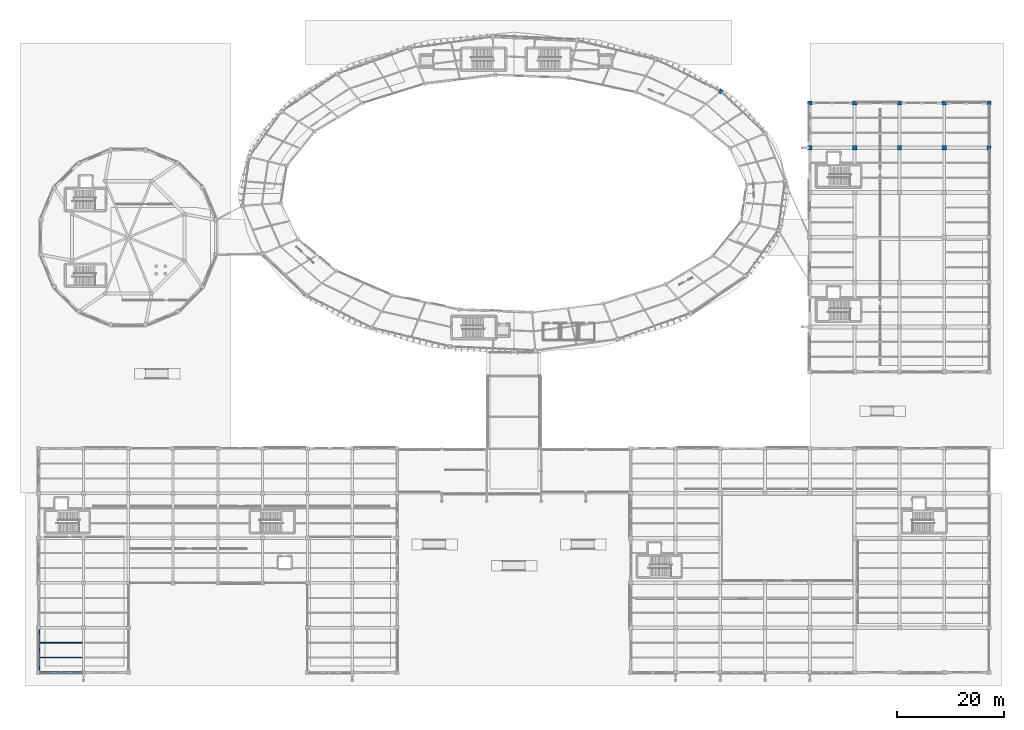
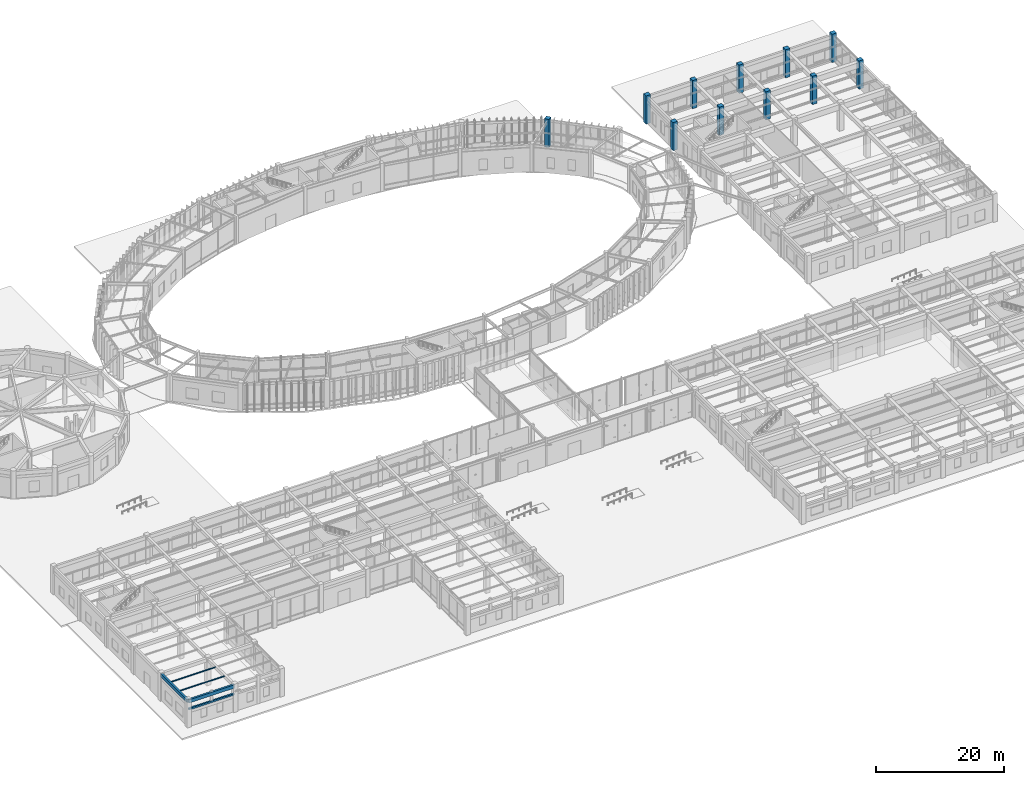
# One storey, part 7 of 157: 11 columns, 5 beams.
"""IFC4 building model written with IfcOpenShell, lengths in metres."""

from ifc_helpers import new_model, si_unit, direction, frame, origin, origin_2d, place, context, subcontext, project, spatial, rectangle, i_section, extrude, material, material_profile, profile_set, type_object, element, save


model = new_model("IFC4")

# Units and contexts
model_context = context("Model", 3, precision=1e-05, world=origin(), true_north=direction((0.0, 1.0)))
body_context = subcontext(model_context, "Body", "Model", "MODEL_VIEW")
ifc_project = project(units=[si_unit("LENGTHUNIT", "METRE"), si_unit("AREAUNIT", "SQUARE_METRE"), si_unit("VOLUMEUNIT", "CUBIC_METRE"), si_unit("PLANEANGLEUNIT", "RADIAN"), si_unit("MASSUNIT", "GRAM", prefix="KILO"), si_unit("THERMODYNAMICTEMPERATUREUNIT", "KELVIN"), si_unit("POWERUNIT", "WATT")], contexts=[model_context])

# Site, building, storey
site_placement = place(None, origin())
site = spatial("IfcSite", under=ifc_project, at=site_placement, CompositionType="ELEMENT")
building_placement = place(site_placement, origin())
building = spatial("IfcBuilding", under=site, at=building_placement, Name="Darbajah Civic Hall", CompositionType="ELEMENT")
storey_placement = place(building_placement, origin())
storey = spatial("IfcBuildingStorey", under=building, at=storey_placement, Name="L00", CompositionType="ELEMENT", Elevation=0.0)

# Columns
ifc_material_1 = material(Name="Concrete C50/60", Category="concrete")
ifc_material_profile_1 = material_profile(ifc_material_1, rectangle(XDim=0.75, YDim=0.75, at=origin_2d()), Name="RC COL 750x750")
ifc_profile_set_1 = profile_set([ifc_material_profile_1], Name="Concrete C50/60")
column_type_1 = type_object("IfcColumnType", Name="RC COL 750x750", PredefinedType="COLUMN", material=ifc_profile_set_1)
column_placement = place(storey_placement, frame((127.880615234375, 108.958740234375, 0.0), z_axis=(0.0, 0.0, 1.0), x_axis=(0.7604059656, 0.64944804833, 0.0)))
element("IfcColumn", 1, at=column_placement, inside=storey, type_object=column_type_1, Name="L00 column C-RC750", PredefinedType="COLUMN", context=body_context, shape_type="SweptSolid", body=[
    extrude(rectangle(XDim=0.75, YDim=0.75, at=origin_2d()), origin(), (0.0, 0.0, 1.0), 5.39990234375),
])
ifc_material_profile_2 = material_profile(ifc_material_1, rectangle(XDim=0.800048828125, YDim=0.800048828125, at=origin_2d()), Name="RC COL 800x800")
ifc_profile_set_2 = profile_set([ifc_material_profile_2], Name="Concrete C50/60")
column_type_2 = type_object("IfcColumnType", Name="RC COL 800x800", PredefinedType="COLUMN", material=ifc_profile_set_2)
for number, where, z_axis, x_axis, name in (
    (2, (144.60009765625, 98.39990234375, 0.0), (0.0, 0.0, 1.0), (1.0, 0.0, 0.0), "L00 column C-RC800"),
    (3, (144.60009765625, 106.800048828125, 0.0), (0.0, 0.0, 1.0), (1.0, 0.0, 0.0), "L00 column C-RC800"),
    (4, (153.0, 98.39990234375, 0.0), (0.0, 0.0, 1.0), (1.0, 0.0, 0.0), "L00 column C-RC800"),
    (5, (153.0, 106.800048828125, 0.0), (0.0, 0.0, 1.0), (1.0, 0.0, 0.0), "L00 column C-RC800"),
    (6, (161.39990234375, 98.39990234375, 0.0), (0.0, 0.0, 1.0), (1.0, 0.0, 0.0), "L00 column C-RC800"),
    (7, (161.39990234375, 106.800048828125, 0.0), (0.0, 0.0, 1.0), (1.0, 0.0, 0.0), "L00 column C-RC800"),
    (8, (169.800048828125, 98.39990234375, 0.0), (0.0, 0.0, 1.0), (1.0, 0.0, 0.0), "L00 column C-RC800"),
    (9, (169.800048828125, 106.800048828125, 0.0), (0.0, 0.0, 1.0), (1.0, 0.0, 0.0), "L00 column C-RC800"),
    (10, (178.199951171875, 98.39990234375, 0.0), (0.0, 0.0, 1.0), (1.0, 0.0, 0.0), "L00 column C-RC800"),
    (11, (178.199951171875, 106.800048828125, 0.0), (0.0, 0.0, 1.0), (1.0, 0.0, 0.0), "L00 column C-RC800"),
):
    element("IfcColumn", number, at=place(storey_placement, frame(where, z_axis=z_axis, x_axis=x_axis)), inside=storey, type_object=column_type_2, Name=name, PredefinedType="COLUMN", context=body_context, shape_type="SweptSolid", body=[
        extrude(rectangle(XDim=0.800048828125, YDim=0.800048828125, at=origin_2d()), origin(), (0.0, 0.0, 1.0), 5.39990234375),
    ])

# Beams
ifc_material_2 = material(Name="Concrete C45/55", Category="concrete")
ifc_material_profile_3 = material_profile(ifc_material_2, rectangle(XDim=0.300048828125, YDim=0.300048828125, at=origin_2d()), Name="RC LINTEL 300x300")
ifc_profile_set_3 = profile_set([ifc_material_profile_3], Name="Concrete C45/55")
beam_type_1 = type_object("IfcBeamType", Name="RC LINTEL 300x300", PredefinedType="LINTEL", material=ifc_profile_set_3)
beam_placement = place(storey_placement, frame((0.090087890625, 0.0, 3.300048828125), z_axis=(1.0, 0.0, 0.0), x_axis=(0.0, 1.0, 0.0)))
element("IfcBeam", 12, at=beam_placement, inside=storey, type_object=beam_type_1, Name="L00 stone portal lintel LN-3030", PredefinedType="LINTEL", context=body_context, shape_type="SweptSolid", body=[
    extrude(rectangle(XDim=0.300048828125, YDim=0.300048828125, at=origin_2d()), origin(), (0.0, 0.0, 1.0), 8.219970703125),
])
ifc_material_profile_4 = material_profile(ifc_material_2, rectangle(XDim=0.35009765625, YDim=0.64990234375, at=origin_2d()), Name="RC SPANDREL 350x650")
ifc_profile_set_4 = profile_set([ifc_material_profile_4], Name="Concrete C45/55")
beam_type_2 = type_object("IfcBeamType", Name="RC SPANDREL 350x650", PredefinedType="SPANDREL", material=ifc_profile_set_4)
for number, where, z_axis, x_axis, name in (
    (13, (0.080078125, 0.0, 4.81494140625), (1.0, 0.0, 0.0), (0.0, 1.0, 0.0), "L00 beam SP-3565"),
    (14, (0.0, 0.080078125, 4.81494140625), (0.0, 1.0, 0.0), (-1.0, 0.0, 0.0), "L00 beam SP-3565"),
):
    element("IfcBeam", number, at=place(storey_placement, frame(where, z_axis=z_axis, x_axis=x_axis)), inside=storey, type_object=beam_type_2, Name=name, PredefinedType="SPANDREL", context=body_context, shape_type="SweptSolid", body=[
        extrude(rectangle(XDim=0.35009765625, YDim=0.64990234375, at=origin_2d()), origin(), (0.0, 0.0, 1.0), 8.239990234375),
    ])
ifc_material_3 = material(Name="Steel S355JR", Category="steel")
ifc_material_profile_5 = material_profile(ifc_material_3, i_section(OverallWidth=0.1337890625, OverallDepth=0.206787109375, WebThickness=0.00634765625, FlangeThickness=0.009521484375, FilletRadius=0.007568359375, at=origin_2d()), Name="UB 203x133x30")
ifc_profile_set_5 = profile_set([ifc_material_profile_5], Name="Steel S355JR")
beam_type_3 = type_object("IfcBeamType", Name="UB 203x133x30", PredefinedType="JOIST", material=ifc_profile_set_5)
for number, where, z_axis, x_axis, name in (
    (15, (0.175048828125, 2.800048828125, 5.03662109375), (1.0, 0.0, 0.0), (0.0, 1.0, 0.0), "L00 beam SJ-203"),
    (16, (0.175048828125, 5.60009765625, 5.03662109375), (1.0, 0.0, 0.0), (0.0, 1.0, 0.0), "L00 beam SJ-203"),
):
    element("IfcBeam", number, at=place(storey_placement, frame(where, z_axis=z_axis, x_axis=x_axis)), inside=storey, type_object=beam_type_3, Name=name, PredefinedType="JOIST", context=body_context, shape_type="SweptSolid", body=[
        extrude(i_section(OverallWidth=0.1337890625, OverallDepth=0.206787109375, WebThickness=0.00634765625, FlangeThickness=0.009521484375, FilletRadius=0.007568359375, at=origin_2d()), origin(), (0.0, 0.0, 1.0), 8.02490234375),
    ])

save(model, "model.ifc")
